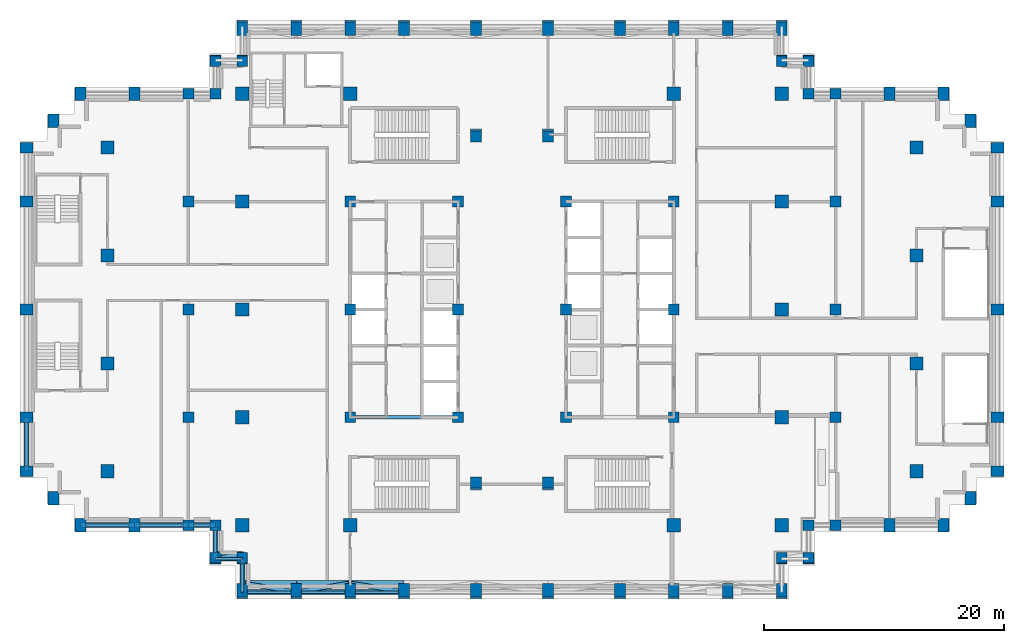
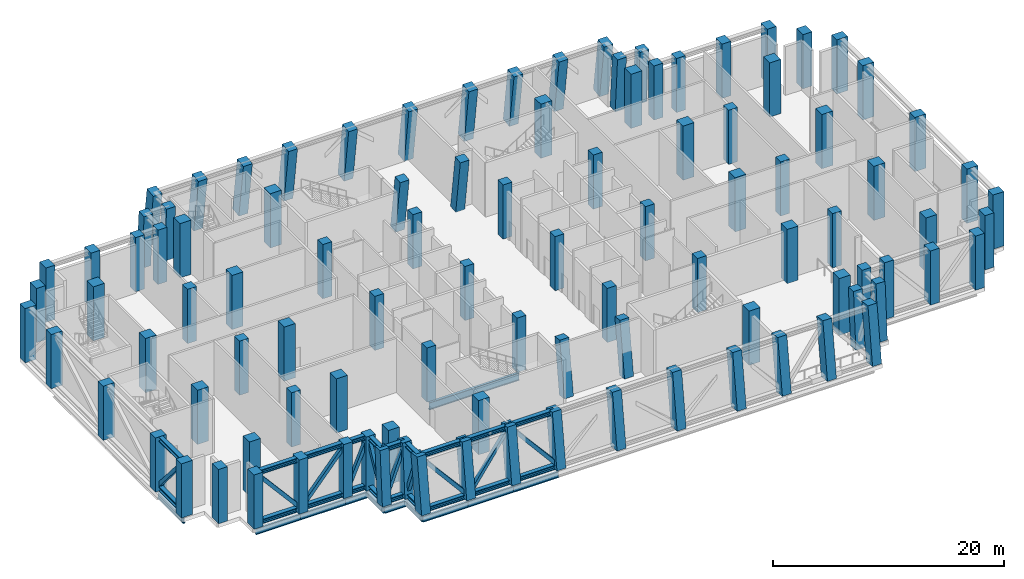
# One storey, part 1 of 14: 102 columns, 30 members, 11 beams.
"""IFC4 building model written with IfcOpenShell, lengths in metres."""

import ifcopenshell
import ifcopenshell.guid

model = None  # the IFC model being written
_history = None  # IfcOwnerHistory: only IFC2X3 demands one
_inside = {}  # id of a spatial element -> (the spatial element, [elements in it])
_under = {}  # id of a project, library or spatial element -> (it, [spatial elements below it])
_declared = {}  # id of a project -> (the project, [libraries it declares])
_typed = {}  # id of a type object -> (the type object, [elements of that type])
_made_of = {}  # id of a material, layer set ... -> (it, [elements and type objects made of it])


def new_model(schema):
    """Start an empty IFC model of exactly this schema.

    Asked for "IFC4X3", IfcOpenShell would pick the latest addendum, in which some entities
    have other attributes; the version numbers below select the first issue.
    IFC2X3 requires an IfcOwnerHistory on every rooted entity: one is made here for all.
    """
    global model, _history
    if schema == "IFC4X3":
        model = ifcopenshell.file(schema_version=(4, 3, 0, 0))
    else:
        model = ifcopenshell.file(schema=schema)
    _inside.clear()
    _under.clear()
    _declared.clear()
    _typed.clear()
    _made_of.clear()
    _history = None
    if model.schema == "IFC2X3":
        org = make("IfcOrganization", Name="unknown")
        user = make(
            "IfcPersonAndOrganization",
            ThePerson=make("IfcPerson", FamilyName="unknown"),
            TheOrganization=org,
        )
        app = make(
            "IfcApplication",
            ApplicationDeveloper=org,
            Version="unknown",
            ApplicationFullName="unknown",
            ApplicationIdentifier="unknown",
        )
        _history = make(
            "IfcOwnerHistory",
            OwningUser=user,
            OwningApplication=app,
            ChangeAction="ADDED",
            CreationDate=0,
        )
    return model


def make(cls, **values):
    """One entity of the class cls with the attributes given. An attribute that is None is left unset."""
    return model.create_entity(
        cls, **{name: value for name, value in values.items() if value is not None}
    )


def rooted(cls, **values):
    """An entity with a GlobalId (a new one), such as an element, a storey or a relation."""
    return make(cls, GlobalId=ifcopenshell.guid.new(), OwnerHistory=_history, **values)


def si_unit(unit_type, name, prefix=None):
    """IfcSIUnit, for example si_unit("LENGTHUNIT", "METRE", prefix="MILLI")."""
    return make("IfcSIUnit", UnitType=unit_type, Prefix=prefix, Name=name)


def assignment(units):
    """IfcUnitAssignment: the units of a project."""
    return None if units is None else make("IfcUnitAssignment", Units=units)


def point(xyz):
    """IfcCartesianPoint."""
    return None if xyz is None else make("IfcCartesianPoint", Coordinates=xyz)


def direction(xyz):
    """IfcDirection."""
    return None if xyz is None else make("IfcDirection", DirectionRatios=xyz)


def frame(location, z_axis=None, x_axis=None):
    """IfcAxis2Placement3D, a coordinate frame: its origin and axes. An axis left out is left unset."""
    return make(
        "IfcAxis2Placement3D",
        Location=point(location),
        Axis=direction(z_axis),
        RefDirection=direction(x_axis),
    )


def frame_2d(location, x_axis=None):
    """IfcAxis2Placement2D, a coordinate frame in the plane: its origin and x axis."""
    return make(
        "IfcAxis2Placement2D", Location=point(location), RefDirection=direction(x_axis)
    )


def origin():
    """The frame at (0, 0, 0) with its axes left unset."""
    return frame((0.0, 0.0, 0.0))


def origin_2d():
    """The frame at (0, 0) in the plane with its x axis left unset."""
    return frame_2d((0.0, 0.0))


def place(relative_to, where):
    """IfcLocalPlacement: puts the frame where relative to a parent placement (None: the world)."""
    return make(
        "IfcLocalPlacement", PlacementRelTo=relative_to, RelativePlacement=where
    )


def context(
    kind, dimensions, precision=None, world=None, true_north=None, identifier=None
):
    """IfcGeometricRepresentationContext, for example the 3D "Model" context."""
    return make(
        "IfcGeometricRepresentationContext",
        ContextIdentifier=identifier,
        ContextType=kind,
        CoordinateSpaceDimension=dimensions,
        Precision=precision,
        WorldCoordinateSystem=world,
        TrueNorth=true_north,
    )


def subcontext(parent, identifier, kind, view, scale=None):
    """IfcGeometricRepresentationSubContext, for example "Body" below "Model"."""
    return make(
        "IfcGeometricRepresentationSubContext",
        ContextIdentifier=identifier,
        ContextType=kind,
        ParentContext=parent,
        TargetScale=scale,
        TargetView=view,
    )


def project(units=None, contexts=None):
    """IfcProject with its units and contexts."""
    return rooted(
        "IfcProject",
        Name="project",
        RepresentationContexts=contexts,
        UnitsInContext=assignment(units),
    )


def spatial(cls, under=None, at=None, **own):
    """A site, building, storey or space (cls), placed at a placement, below another one or the project."""
    s = rooted(cls, ObjectPlacement=at, **own)
    if under is not None:
        _under.setdefault(under.id(), (under, []))[1].append(s)
    return s


def profile(cls, at=None, kind="AREA", **sizes):
    """A parametric profile (cls). Its sizes go by their IFC names, for example OverallWidth=200.0."""
    return make(cls, ProfileType=kind, Position=at, **sizes)


def rectangle(**sizes):
    """IfcRectangleProfileDef."""
    return profile("IfcRectangleProfileDef", **sizes)


def hollow_rectangle(**sizes):
    """IfcRectangleHollowProfileDef."""
    return profile("IfcRectangleHollowProfileDef", **sizes)


def i_section(**sizes):
    """IfcIShapeProfileDef."""
    return profile("IfcIShapeProfileDef", **sizes)


def extrude(swept, where, along, depth):
    """IfcExtrudedAreaSolid: the profile swept, set in the frame where, extruded along a direction by depth."""
    return make(
        "IfcExtrudedAreaSolid",
        SweptArea=swept,
        Position=where,
        ExtrudedDirection=direction(along),
        Depth=depth,
    )


def shape(context_of_items, identifier, shape_type, items):
    """IfcShapeRepresentation: the items that make up one representation, for example the "Body"."""
    return make(
        "IfcShapeRepresentation",
        ContextOfItems=context_of_items,
        RepresentationIdentifier=identifier,
        RepresentationType=shape_type,
        Items=items,
    )


def material(Name=None, Category=None):
    """IfcMaterial."""
    return make("IfcMaterial", Name=Name, Category=Category)


def material_profile(
    of_material, cross_section, Name=None, Category=None, Priority=None
):
    """IfcMaterialProfile: a cross section and its material."""
    return make(
        "IfcMaterialProfile",
        Name=Name,
        Material=of_material,
        Profile=cross_section,
        Priority=Priority,
        Category=Category,
    )


def profile_set(profiles, Name=None, composite=None):
    """IfcMaterialProfileSet."""
    return make(
        "IfcMaterialProfileSet",
        Name=Name,
        MaterialProfiles=profiles,
        CompositeProfile=composite,
    )


def made_of(thing, what):
    """Note that an element or type object is made of a material, layer set ...; save() writes the relation."""
    if what is not None:
        _made_of.setdefault(what.id(), (what, []))[1].append(thing)
    return thing


def type_object(cls, material=None, **own):
    """A type object (cls), such as IfcWallType, which elements share."""
    return made_of(rooted(cls, **own), material)


def element(
    cls,
    number,
    at=None,
    inside=None,
    cuts=None,
    type_object=None,
    material=None,
    context=None,
    identifier="Body",
    shape_type=None,
    held_by="IfcProductDefinitionShape",
    body=None,
    shapes=None,
    **own,
):
    """One element of the class cls, such as IfcWall. Its Tag is "e" and its number.

    at: its placement. inside: the storey or other place that contains it. cuts: it is an
    opening in that element (IfcRelVoidsElement). A single representation is given by context,
    identifier, shape_type and body (its items); several are given by shapes. held_by: the class
    of the entity that holds the representations. save() writes the other relations.
    """
    e = rooted(cls, Tag="e%d" % number, ObjectPlacement=at, **own)
    if body is not None:
        shapes = [shape(context, identifier, shape_type, body)]
    if shapes is not None:
        e.Representation = make(held_by, Representations=shapes)
    if inside is not None:
        _inside.setdefault(inside.id(), (inside, []))[1].append(e)
    if cuts is not None:
        rooted(
            "IfcRelVoidsElement", RelatingBuildingElement=cuts, RelatedOpeningElement=e
        )
    if type_object is not None:
        _typed.setdefault(type_object.id(), (type_object, []))[1].append(e)
    return made_of(e, material)


def aggregate(whole, parts):
    """IfcRelAggregates: a whole, such as a stair, and the parts it consists of."""
    return rooted("IfcRelAggregates", RelatingObject=whole, RelatedObjects=parts)


def save(model, path):
    """Write the relations noted so far, then the file.

    IfcRelAggregates (storeys below a building ...), IfcRelContainedInSpatialStructure (elements
    in a storey), IfcRelDefinesByType, IfcRelAssociatesMaterial and IfcRelDeclares: one each for
    every whole, place, type object, material and project.
    """
    for whole, parts in _under.values():
        aggregate(whole, parts)
    for where, things in _inside.values():
        rooted(
            "IfcRelContainedInSpatialStructure",
            RelatedElements=things,
            RelatingStructure=where,
        )
    for kind, things in _typed.values():
        rooted("IfcRelDefinesByType", RelatedObjects=things, RelatingType=kind)
    for what, things in _made_of.values():
        rooted("IfcRelAssociatesMaterial", RelatedObjects=things, RelatingMaterial=what)
    for by, libraries in _declared.values():
        rooted("IfcRelDeclares", RelatingContext=by, RelatedDefinitions=libraries)
    model.write(path)


model = new_model("IFC4")

# Units and contexts
model_context = context("Model", 3, precision=1e-05, world=origin(), true_north=direction((0.0, 1.0)))
body_context = subcontext(model_context, "Body", "Model", "MODEL_VIEW")
ifc_project = project(units=[si_unit("LENGTHUNIT", "METRE"), si_unit("AREAUNIT", "SQUARE_METRE"), si_unit("VOLUMEUNIT", "CUBIC_METRE"), si_unit("PLANEANGLEUNIT", "RADIAN"), si_unit("MASSUNIT", "GRAM", prefix="KILO")], contexts=[model_context])

# Site, building, storey
site_placement = place(None, origin())
site = spatial("IfcSite", under=ifc_project, at=site_placement, CompositionType="ELEMENT")
building_placement = place(site_placement, origin())
building = spatial("IfcBuilding", under=site, at=building_placement, Name="Corbelhall Arena Tower", CompositionType="ELEMENT")
storey_placement = place(building_placement, frame((0.0, 0.0, 178.0)))
storey = spatial("IfcBuildingStorey", under=building, at=storey_placement, Name="L36", CompositionType="ELEMENT", Elevation=178.0)

# Columns
ifc_material_1 = material(Name="Concrete C80/95", Category="concrete")
ifc_material_profile_1 = material_profile(ifc_material_1, rectangle(XDim=1.10009765625, YDim=1.10009765625, at=origin_2d()))
ifc_profile_set_1 = profile_set([ifc_material_profile_1], Name="Concrete C80/95")
column_type_1 = type_object("IfcColumnType", Name="ST-COL-RC 1100x1100", PredefinedType="COLUMN", material=ifc_profile_set_1)
for number, where, z_axis, x_axis, name in (
    (1, (-33.75, 4.5, 0.0), (0.0, 0.0, 1.0), (1.0, 0.0, 0.0), "Column FIC+0450"),
    (2, (-33.75, 13.5, 0.0), (0.0, 0.0, 1.0), (1.0, 0.0, 0.0), "Column FIC+1350"),
    (3, (-33.75, -4.5, 0.0), (0.0, 0.0, 1.0), (1.0, 0.0, 0.0), "Column FIC-0450"),
    (4, (-33.75, -13.5, 0.0), (0.0, 0.0, 1.0), (1.0, 0.0, 0.0), "Column FIC-1350"),
    (5, (33.75, 4.5, 0.0), (0.0, 0.0, 1.0), (1.0, 0.0, 0.0), "Column FID+0450"),
    (6, (33.75, 13.5, 0.0), (0.0, 0.0, 1.0), (1.0, 0.0, 0.0), "Column FID+1350"),
    (7, (33.75, -4.5, 0.0), (0.0, 0.0, 1.0), (1.0, 0.0, 0.0), "Column FID-0450"),
    (8, (33.75, -13.5, 0.0), (0.0, 0.0, 1.0), (1.0, 0.0, 0.0), "Column FID-1350"),
    (9, (13.5, 18.0, 0.0), (0.0, 0.0, 1.0), (1.0, 0.0, 0.0), "Column IE13+1800"),
    (10, (13.5, -18.0, 0.0), (0.0, 0.0, 1.0), (1.0, 0.0, 0.0), "Column IE13-1800"),
    (11, (22.5, 0.0, 0.0), (0.0, 0.0, 1.0), (1.0, 0.0, 0.0), "Column IE22+0000"),
    (12, (22.5, 9.0, 0.0), (0.0, 0.0, 1.0), (1.0, 0.0, 0.0), "Column IE22+0900"),
    (13, (22.5, 18.0, 0.0), (0.0, 0.0, 1.0), (1.0, 0.0, 0.0), "Column IE22+1800"),
    (14, (22.5, -9.0, 0.0), (0.0, 0.0, 1.0), (1.0, 0.0, 0.0), "Column IE22-0900"),
):
    element("IfcColumn", number, at=place(storey_placement, frame(where, z_axis=z_axis, x_axis=x_axis)), inside=storey, type_object=column_type_1, Name=name, PredefinedType="COLUMN", context=body_context, shape_type="SweptSolid", body=[
        extrude(rectangle(XDim=1.10009765625, YDim=1.10009765625, at=origin_2d()), origin(), (0.0, 0.0, 1.0), 5.719970703125),
    ])
column_1_placement = place(storey_placement, frame((22.5, -18.0, 0.0), z_axis=(0.0, 0.0, 1.0), x_axis=(1.0, 0.0, 0.0)))
element("IfcColumn", 15, at=column_1_placement, inside=storey, type_object=column_type_1, Name="Column IE22-1800", PredefinedType="COLUMN", context=body_context, shape_type="SweptSolid", body=[
    extrude(rectangle(XDim=1.10009765625, YDim=1.10009765625, at=origin_2d()), origin(), (0.0, 0.0, 1.0), 6.0),
])
for number, where, z_axis, x_axis, name in (
    (16, (-13.5, 18.0, 0.0), (0.0, 0.0, 1.0), (1.0, 0.0, 0.0), "Column IW13+1800"),
    (17, (-13.5, -18.0, 0.0), (0.0, 0.0, 1.0), (1.0, 0.0, 0.0), "Column IW13-1800"),
    (18, (-22.5, 0.0, 0.0), (0.0, 0.0, 1.0), (1.0, 0.0, 0.0), "Column IW22+0000"),
    (19, (-22.5, 9.0, 0.0), (0.0, 0.0, 1.0), (1.0, 0.0, 0.0), "Column IW22+0900"),
    (20, (-22.5, 18.0, 0.0), (0.0, 0.0, 1.0), (1.0, 0.0, 0.0), "Column IW22+1800"),
    (21, (-22.5, -9.0, 0.0), (0.0, 0.0, 1.0), (1.0, 0.0, 0.0), "Column IW22-0900"),
    (22, (-22.5, -18.0, 0.0), (0.0, 0.0, 1.0), (1.0, 0.0, 0.0), "Column IW22-1800"),
):
    element("IfcColumn", number, at=place(storey_placement, frame(where, z_axis=z_axis, x_axis=x_axis)), inside=storey, type_object=column_type_1, Name=name, PredefinedType="COLUMN", context=body_context, shape_type="SweptSolid", body=[
        extrude(rectangle(XDim=1.10009765625, YDim=1.10009765625, at=origin_2d()), origin(), (0.0, 0.0, 1.0), 5.719970703125),
    ])
ifc_material_profile_2 = material_profile(ifc_material_1, rectangle(XDim=0.89990234375, YDim=1.10009765625, at=origin_2d()))
ifc_profile_set_2 = profile_set([ifc_material_profile_2], Name="Concrete C80/95")
column_type_2 = type_object("IfcColumnType", Name="ST-COL-RC 900x1100", PredefinedType="COLUMN", material=ifc_profile_set_2)
for number, where, z_axis, x_axis, name in (
    (23, (-40.5, 0.0, 0.0), (0.0, 0.0, 1.0), (0.0, 1.0, 0.0), "Column FC+0000"),
    (24, (-40.5, 9.0, 0.0), (0.0, 0.0, 1.0), (0.0, 1.0, 0.0), "Column FC+0900"),
    (25, (-40.5, 13.5, 0.0), (0.0, 0.0, 1.0), (0.0, 1.0, 0.0), "Column FC+1350"),
    (26, (-40.5, -9.0, 0.0), (0.0, 0.0, 1.0), (0.0, 1.0, 0.0), "Column FC-0900"),
    (27, (-40.5, -13.5, 0.0), (0.0, 0.0, 1.0), (0.0, 1.0, 0.0), "Column FC-1350"),
    (28, (-38.25, 15.75, 0.0), (0.0, 0.0, 1.0), (1.0, 0.0, 0.0), "Column FCCN"),
    (29, (-38.25, -15.75, 0.0), (0.0, 0.0, 1.0), (1.0, 0.0, 0.0), "Column FCCS"),
    (30, (-31.5, 18.0, 0.0), (0.0, 0.0, 1.0), (1.0, 0.0, 0.0), "Column FCN3150"),
    (31, (-36.0, 18.0, 0.0), (0.0, 0.0, 1.0), (1.0, 0.0, 0.0), "Column FCN3600"),
    (32, (-31.5, -18.0, 0.0), (0.0, 0.0, 1.0), (1.0, 0.0, 0.0), "Column FCS3150"),
    (33, (-36.0, -18.0, 0.0), (0.0, 0.0, 1.0), (1.0, 0.0, 0.0), "Column FCS3600"),
    (34, (40.5, 0.0, 0.0), (0.0, 0.0, 1.0), (0.0, 1.0, 0.0), "Column FD+0000"),
    (35, (40.5, 9.0, 0.0), (0.0, 0.0, 1.0), (0.0, 1.0, 0.0), "Column FD+0900"),
    (36, (40.5, 13.5, 0.0), (0.0, 0.0, 1.0), (0.0, 1.0, 0.0), "Column FD+1350"),
    (37, (40.5, -9.0, 0.0), (0.0, 0.0, 1.0), (0.0, 1.0, 0.0), "Column FD-0900"),
    (38, (40.5, -13.5, 0.0), (0.0, 0.0, 1.0), (0.0, 1.0, 0.0), "Column FD-1350"),
    (39, (38.25, 15.75, 0.0), (0.0, 0.0, 1.0), (1.0, 0.0, 0.0), "Column FDCN"),
    (40, (38.25, -15.75, 0.0), (0.0, 0.0, 1.0), (1.0, 0.0, 0.0), "Column FDCS"),
    (41, (31.5, 18.0, 0.0), (0.0, 0.0, 1.0), (1.0, 0.0, 0.0), "Column FDN3150"),
    (42, (36.0, 18.0, 0.0), (0.0, 0.0, 1.0), (1.0, 0.0, 0.0), "Column FDN3600"),
    (43, (31.5, -18.0, 0.0), (0.0, 0.0, 1.0), (1.0, 0.0, 0.0), "Column FDS3150"),
    (44, (36.0, -18.0, 0.0), (0.0, 0.0, 1.0), (1.0, 0.0, 0.0), "Column FDS3600"),
):
    element("IfcColumn", number, at=place(storey_placement, frame(where, z_axis=z_axis, x_axis=x_axis)), inside=storey, type_object=column_type_2, Name=name, PredefinedType="COLUMN", context=body_context, shape_type="SweptSolid", body=[
        extrude(rectangle(XDim=0.89990234375, YDim=1.10009765625, at=origin_2d()), origin(), (0.0, 0.0, 1.0), 5.719970703125),
    ])
for number, where, z_axis, x_axis, name in (
    (45, (3.0, 23.60009765625, 0.0), (0.0, -0.138520981641, 0.990359499195), (1.0, 0.0, 0.0), "Column PNE0300"),
    (46, (9.0, 23.60009765625, 0.0), (0.0, -0.138520981641, 0.990359499195), (1.0, 0.0, 0.0), "Column PNE0900"),
    (47, (13.5, 23.60009765625, 0.0), (0.0, -0.138520981641, 0.990359499195), (1.0, 0.0, 0.0), "Column PNE1350"),
    (48, (18.0, 23.60009765625, 0.0), (0.0, -0.138520981641, 0.990359499195), (1.0, 0.0, 0.0), "Column PNE1800"),
    (49, (22.5, 23.60009765625, 0.0), (0.0, -0.138520981641, 0.990359499195), (1.0, 0.0, 0.0), "Column PNE2250"),
    (50, (-3.0, 23.60009765625, 0.0), (0.0, -0.138520981641, 0.990359499195), (1.0, 0.0, 0.0), "Column PNW0300"),
    (51, (-9.0, 23.60009765625, 0.0), (0.0, -0.138520981641, 0.990359499195), (1.0, 0.0, 0.0), "Column PNW0900"),
    (52, (-13.5, 23.60009765625, 0.0), (0.0, -0.138520981641, 0.990359499195), (1.0, 0.0, 0.0), "Column PNW1350"),
    (53, (-18.0, 23.60009765625, 0.0), (0.0, -0.138520981641, 0.990359499195), (1.0, 0.0, 0.0), "Column PNW1800"),
    (54, (-22.5, 23.60009765625, 0.0), (0.0, -0.138520981641, 0.990359499195), (1.0, 0.0, 0.0), "Column PNW2250"),
    (55, (3.0, -23.60009765625, 0.0), (0.0, 0.138520981641, 0.990359499195), (-1.0, 0.0, 0.0), "Column PSE0300"),
    (56, (9.0, -23.60009765625, 0.0), (0.0, 0.138520981641, 0.990359499195), (-1.0, 0.0, 0.0), "Column PSE0900"),
    (57, (13.5, -23.60009765625, 0.0), (0.0, 0.138520981641, 0.990359499195), (-1.0, 0.0, 0.0), "Column PSE1350"),
):
    element("IfcColumn", number, at=place(storey_placement, frame(where, z_axis=z_axis, x_axis=x_axis)), inside=storey, type_object=column_type_2, Name=name, PredefinedType="COLUMN", context=body_context, shape_type="SweptSolid", body=[
        extrude(rectangle(XDim=0.89990234375, YDim=1.10009765625, at=origin_2d()), origin(), (0.0, 0.0, 1.0), 5.775634765625),
    ])
for number, where, z_axis, x_axis, name in (
    (58, (18.0, -23.60009765625, 0.0), (0.0, 0.133873438802, 0.990998437125), (-1.0, 0.0, 0.0), "Column PSE1800"),
    (59, (22.5, -23.60009765625, 0.0), (0.0, 0.133873438802, 0.990998437125), (-1.0, 0.0, 0.0), "Column PSE2250"),
):
    element("IfcColumn", number, at=place(storey_placement, frame(where, z_axis=z_axis, x_axis=x_axis)), inside=storey, type_object=column_type_2, Name=name, PredefinedType="COLUMN", context=body_context, shape_type="SweptSolid", body=[
        extrude(rectangle(XDim=0.89990234375, YDim=1.10009765625, at=origin_2d()), origin(), (0.0, 0.0, 1.0), 5.97607421875),
    ])
for number, where, z_axis, x_axis, name in (
    (60, (-3.0, -23.60009765625, 0.0), (0.0, 0.138520981641, 0.990359499195), (-1.0, 0.0, 0.0), "Column PSW0300"),
    (61, (-9.0, -23.60009765625, 0.0), (0.0, 0.138520981641, 0.990359499195), (-1.0, 0.0, 0.0), "Column PSW0900"),
    (62, (-13.5, -23.60009765625, 0.0), (0.0, 0.138520981641, 0.990359499195), (-1.0, 0.0, 0.0), "Column PSW1350"),
    (63, (-18.0, -23.60009765625, 0.0), (0.0, 0.138520981641, 0.990359499195), (-1.0, 0.0, 0.0), "Column PSW1800"),
    (64, (-22.5, -23.60009765625, 0.0), (0.0, 0.138520981641, 0.990359499195), (-1.0, 0.0, 0.0), "Column PSW2250"),
):
    element("IfcColumn", number, at=place(storey_placement, frame(where, z_axis=z_axis, x_axis=x_axis)), inside=storey, type_object=column_type_2, Name=name, PredefinedType="COLUMN", context=body_context, shape_type="SweptSolid", body=[
        extrude(rectangle(XDim=0.89990234375, YDim=1.10009765625, at=origin_2d()), origin(), (0.0, 0.0, 1.0), 5.775634765625),
    ])
ifc_material_profile_3 = material_profile(ifc_material_1, rectangle(XDim=0.89990234375, YDim=0.89990234375, at=origin_2d()))
ifc_profile_set_3 = profile_set([ifc_material_profile_3], Name="Concrete C80/95")
column_type_3 = type_object("IfcColumnType", Name="ST-COL-RC 900x900", PredefinedType="COLUMN", material=ifc_profile_set_3)
for number, where, z_axis, x_axis, name in (
    (65, (4.5, 0.0, 0.0), (0.0, 0.0, 1.0), (1.0, 0.0, 0.0), "Column KE+0450+0000"),
    (66, (4.5, 9.0, 0.0), (0.0, 0.0, 1.0), (1.0, 0.0, 0.0), "Column KE+0450+0900"),
    (67, (4.5, -9.0, 0.0), (0.0, 0.0, 1.0), (1.0, 0.0, 0.0), "Column KE+0450-0900"),
    (68, (13.5, 0.0, 0.0), (0.0, 0.0, 1.0), (1.0, 0.0, 0.0), "Column KE+1350+0000"),
    (69, (13.5, 9.0, 0.0), (0.0, 0.0, 1.0), (1.0, 0.0, 0.0), "Column KE+1350+0900"),
    (70, (13.5, -9.0, 0.0), (0.0, 0.0, 1.0), (1.0, 0.0, 0.0), "Column KE+1350-0900"),
    (71, (-4.5, 0.0, 0.0), (0.0, 0.0, 1.0), (1.0, 0.0, 0.0), "Column KW-0450+0000"),
    (72, (-4.5, 9.0, 0.0), (0.0, 0.0, 1.0), (1.0, 0.0, 0.0), "Column KW-0450+0900"),
    (73, (-4.5, -9.0, 0.0), (0.0, 0.0, 1.0), (1.0, 0.0, 0.0), "Column KW-0450-0900"),
    (74, (-13.5, 0.0, 0.0), (0.0, 0.0, 1.0), (1.0, 0.0, 0.0), "Column KW-1350+0000"),
    (75, (-13.5, 9.0, 0.0), (0.0, 0.0, 1.0), (1.0, 0.0, 0.0), "Column KW-1350+0900"),
    (76, (-13.5, -9.0, 0.0), (0.0, 0.0, 1.0), (1.0, 0.0, 0.0), "Column KW-1350-0900"),
    (77, (27.0, 0.0, 0.0), (0.0, 0.0, 1.0), (1.0, 0.0, 0.0), "Column PE+0000"),
    (78, (27.0, 9.0, 0.0), (0.0, 0.0, 1.0), (1.0, 0.0, 0.0), "Column PE+0900"),
    (79, (27.0, 18.0, 0.0), (0.0, 0.0, 1.0), (1.0, 0.0, 0.0), "Column PE+1800"),
    (80, (27.0, -9.0, 0.0), (0.0, 0.0, 1.0), (1.0, 0.0, 0.0), "Column PE-0900"),
):
    element("IfcColumn", number, at=place(storey_placement, frame(where, z_axis=z_axis, x_axis=x_axis)), inside=storey, type_object=column_type_3, Name=name, PredefinedType="COLUMN", context=body_context, shape_type="SweptSolid", body=[
        extrude(rectangle(XDim=0.89990234375, YDim=0.89990234375, at=origin_2d()), origin(), (0.0, 0.0, 1.0), 5.719970703125),
    ])
column_2_placement = place(storey_placement, frame((27.0, -18.0, 0.0), z_axis=(0.0, 0.0, 1.0), x_axis=(1.0, 0.0, 0.0)))
element("IfcColumn", 81, at=column_2_placement, inside=storey, type_object=column_type_3, Name="Column PE-1800", PredefinedType="COLUMN", context=body_context, shape_type="SweptSolid", body=[
    extrude(rectangle(XDim=0.89990234375, YDim=0.89990234375, at=origin_2d()), origin(), (0.0, 0.0, 1.0), 6.0),
])
for number, where, z_axis, x_axis, name in (
    (82, (-27.0, 0.0, 0.0), (0.0, 0.0, 1.0), (1.0, 0.0, 0.0), "Column PW+0000"),
    (83, (-27.0, 9.0, 0.0), (0.0, 0.0, 1.0), (1.0, 0.0, 0.0), "Column PW+0900"),
    (84, (-27.0, 18.0, 0.0), (0.0, 0.0, 1.0), (1.0, 0.0, 0.0), "Column PW+1800"),
    (85, (-27.0, -9.0, 0.0), (0.0, 0.0, 1.0), (1.0, 0.0, 0.0), "Column PW-0900"),
    (86, (-27.0, -18.0, 0.0), (0.0, 0.0, 1.0), (1.0, 0.0, 0.0), "Column PW-1800"),
):
    element("IfcColumn", number, at=place(storey_placement, frame(where, z_axis=z_axis, x_axis=x_axis)), inside=storey, type_object=column_type_3, Name=name, PredefinedType="COLUMN", context=body_context, shape_type="SweptSolid", body=[
        extrude(rectangle(XDim=0.89990234375, YDim=0.89990234375, at=origin_2d()), origin(), (0.0, 0.0, 1.0), 5.719970703125),
    ])
for number, where, z_axis, x_axis, name in (
    (87, (3.0, 14.60009765625, 0.0), (0.0, -0.138520981641, 0.990359499195), (1.0, 0.0, 0.0), "Column SLNE2"),
    (88, (-3.0, 14.60009765625, 0.0), (0.0, -0.138520981641, 0.990359499195), (1.0, 0.0, 0.0), "Column SLNW2"),
    (89, (3.0, -14.60009765625, 0.0), (0.0, 0.138520981641, 0.990359499195), (-1.0, 0.0, 0.0), "Column SLSE2"),
    (90, (-3.0, -14.60009765625, 0.0), (0.0, 0.138520981641, 0.990359499195), (-1.0, 0.0, 0.0), "Column SLSW2"),
):
    element("IfcColumn", number, at=place(storey_placement, frame(where, z_axis=z_axis, x_axis=x_axis)), inside=storey, type_object=column_type_3, Name=name, PredefinedType="COLUMN", context=body_context, shape_type="SweptSolid", body=[
        extrude(rectangle(XDim=0.89990234375, YDim=0.89990234375, at=origin_2d()), origin(), (0.0, 0.0, 1.0), 5.775634765625),
    ])
for number, where, z_axis, x_axis, name in (
    (91, (22.5, 20.800048828125, 0.0), (0.0, -0.069785486046, 0.997562021098), (1.0, 0.0, 0.0), "Column XNE1"),
    (92, (24.75, 20.800048828125, 0.0), (0.0, -0.069785486046, 0.997562021098), (1.0, 0.0, 0.0), "Column XNE2"),
):
    element("IfcColumn", number, at=place(storey_placement, frame(where, z_axis=z_axis, x_axis=x_axis)), inside=storey, type_object=column_type_3, Name=name, PredefinedType="COLUMN", context=body_context, shape_type="SweptSolid", body=[
        extrude(rectangle(XDim=0.89990234375, YDim=0.89990234375, at=origin_2d()), origin(), (0.0, 0.0, 1.0), 5.73388671875),
    ])
column_3_placement = place(storey_placement, frame((24.75, 18.0, 0.0), z_axis=(0.0, 0.0, 1.0), x_axis=(1.0, 0.0, 0.0)))
element("IfcColumn", 93, at=column_3_placement, inside=storey, type_object=column_type_3, Name="Column XNE3", PredefinedType="COLUMN", context=body_context, shape_type="SweptSolid", body=[
    extrude(rectangle(XDim=0.89990234375, YDim=0.89990234375, at=origin_2d()), origin(), (0.0, 0.0, 1.0), 5.719970703125),
])
for number, where, z_axis, x_axis, name in (
    (94, (-22.5, 20.800048828125, 0.0), (0.0, -0.069785486046, 0.997562021098), (1.0, 0.0, 0.0), "Column XNW1"),
    (95, (-24.75, 20.800048828125, 0.0), (0.0, -0.069785486046, 0.997562021098), (1.0, 0.0, 0.0), "Column XNW2"),
):
    element("IfcColumn", number, at=place(storey_placement, frame(where, z_axis=z_axis, x_axis=x_axis)), inside=storey, type_object=column_type_3, Name=name, PredefinedType="COLUMN", context=body_context, shape_type="SweptSolid", body=[
        extrude(rectangle(XDim=0.89990234375, YDim=0.89990234375, at=origin_2d()), origin(), (0.0, 0.0, 1.0), 5.73388671875),
    ])
column_4_placement = place(storey_placement, frame((-24.75, 18.0, 0.0), z_axis=(0.0, 0.0, 1.0), x_axis=(1.0, 0.0, 0.0)))
element("IfcColumn", 96, at=column_4_placement, inside=storey, type_object=column_type_3, Name="Column XNW3", PredefinedType="COLUMN", context=body_context, shape_type="SweptSolid", body=[
    extrude(rectangle(XDim=0.89990234375, YDim=0.89990234375, at=origin_2d()), origin(), (0.0, 0.0, 1.0), 5.719970703125),
])
for number, where, z_axis, x_axis, name in (
    (97, (22.5, -20.800048828125, 0.0), (0.0, 0.066930983457, 0.997757607565), (-1.0, 0.0, 0.0), "Column XSE1"),
    (98, (24.75, -20.800048828125, 0.0), (0.0, 0.066930983457, 0.997757607565), (-1.0, 0.0, 0.0), "Column XSE2"),
):
    element("IfcColumn", number, at=place(storey_placement, frame(where, z_axis=z_axis, x_axis=x_axis)), inside=storey, type_object=column_type_3, Name=name, PredefinedType="COLUMN", context=body_context, shape_type="SweptSolid", body=[
        extrude(rectangle(XDim=0.89990234375, YDim=0.89990234375, at=origin_2d()), origin(), (0.0, 0.0, 1.0), 5.978515625),
    ])
column_5_placement = place(storey_placement, frame((24.75, -18.0, 0.0), z_axis=(0.0, 0.0, 1.0), x_axis=(1.0, 0.0, 0.0)))
element("IfcColumn", 99, at=column_5_placement, inside=storey, type_object=column_type_3, Name="Column XSE3", PredefinedType="COLUMN", context=body_context, shape_type="SweptSolid", body=[
    extrude(rectangle(XDim=0.89990234375, YDim=0.89990234375, at=origin_2d()), origin(), (0.0, 0.0, 1.0), 6.0),
])
for number, where, z_axis, x_axis, name in (
    (100, (-22.5, -20.800048828125, 0.0), (0.0, 0.069785486046, 0.997562021098), (-1.0, 0.0, 0.0), "Column XSW1"),
    (101, (-24.75, -20.800048828125, 0.0), (0.0, 0.069785486046, 0.997562021098), (-1.0, 0.0, 0.0), "Column XSW2"),
):
    element("IfcColumn", number, at=place(storey_placement, frame(where, z_axis=z_axis, x_axis=x_axis)), inside=storey, type_object=column_type_3, Name=name, PredefinedType="COLUMN", context=body_context, shape_type="SweptSolid", body=[
        extrude(rectangle(XDim=0.89990234375, YDim=0.89990234375, at=origin_2d()), origin(), (0.0, 0.0, 1.0), 5.73388671875),
    ])
column_6_placement = place(storey_placement, frame((-24.75, -18.0, 0.0), z_axis=(0.0, 0.0, 1.0), x_axis=(1.0, 0.0, 0.0)))
element("IfcColumn", 102, at=column_6_placement, inside=storey, type_object=column_type_3, Name="Column XSW3", PredefinedType="COLUMN", context=body_context, shape_type="SweptSolid", body=[
    extrude(rectangle(XDim=0.89990234375, YDim=0.89990234375, at=origin_2d()), origin(), (0.0, 0.0, 1.0), 5.719970703125),
])

# Beam
ifc_material_2 = material(Name="Steel ASTM A992 Gr50", Category="steel")
ifc_material_profile_4 = material_profile(ifc_material_2, i_section(OverallWidth=0.2666015625, OverallDepth=0.761962890625, WebThickness=0.014404296875, FlangeThickness=0.021484375, at=origin_2d()))
ifc_profile_set_4 = profile_set([ifc_material_profile_4], Name="Steel ASTM A992 Gr50")
beam_type_1 = type_object("IfcBeamType", Name="ST-BEAM-W30x116", PredefinedType="BEAM", material=ifc_profile_set_4)
beam_1_placement = place(storey_placement, frame((-13.5, -9.0, -0.791015625), z_axis=(1.0, 0.0, 0.0), x_axis=(0.0, 1.0, 0.0)))
element("IfcBeam", 103, at=beam_1_placement, inside=storey, type_object=beam_type_1, Name="Beam CEW 5", PredefinedType="BEAM", context=body_context, shape_type="SweptSolid", body=[
    extrude(i_section(OverallWidth=0.2666015625, OverallDepth=0.761962890625, WebThickness=0.014404296875, FlangeThickness=0.021484375, at=origin_2d()), origin(), (0.0, 0.0, 1.0), 9.0),
])

# Members
ifc_material_3 = material(Name="Steel ASTM A913 Gr65", Category="steel")
ifc_material_profile_5 = material_profile(ifc_material_3, i_section(OverallWidth=0.421630859375, OverallDepth=0.46484375, WebThickness=0.044921875, FlangeThickness=0.072509765625, at=origin_2d()))
ifc_profile_set_5 = profile_set([ifc_material_profile_5], Name="Steel ASTM A913 Gr65")
member_type_1 = type_object("IfcMemberType", Name="ST-CHORD-W14x398", PredefinedType="CHORD", material=ifc_profile_set_5)
for number, where, z_axis, x_axis, name in (
    (104, (-40.5, -13.5, 0.232421875), (0.0, 1.0, 0.0), (-1.0, 0.0, 0.0), "Truss chord BC 4"),
    (105, (-40.5, -13.5, 5.487548828125), (0.0, 1.0, 0.0), (-1.0, 0.0, 0.0), "Truss chord TC 4"),
    (106, (-31.5, -18.0, 0.232421875), (-1.0, 0.0, 0.0), (0.0, -1.0, 0.0), "Truss chord BC 7"),
    (107, (-31.5, -18.0, 5.487548828125), (-1.0, 0.0, 0.0), (0.0, -1.0, 0.0), "Truss chord TC 7"),
    (108, (-9.0, -23.5673828125, 0.232421875), (-1.0, 0.0, 0.0), (0.0, -1.0, 0.0), "Truss chord BC 33"),
    (109, (-9.0, -22.83251953125, 5.487548828125), (-1.0, 0.0, 0.0), (0.0, -1.0, 0.0), "Truss chord TC 33"),
    (110, (-13.5, -23.5673828125, 0.232421875), (-1.0, 0.0, 0.0), (0.0, -1.0, 0.0), "Truss chord BC 34"),
    (111, (-13.5, -22.83251953125, 5.487548828125), (-1.0, 0.0, 0.0), (0.0, -1.0, 0.0), "Truss chord TC 34"),
    (112, (-18.0, -23.5673828125, 0.232421875), (-1.0, 0.0, 0.0), (0.0, -1.0, 0.0), "Truss chord BC 35"),
    (113, (-18.0, -22.83251953125, 5.487548828125), (-1.0, 0.0, 0.0), (0.0, -1.0, 0.0), "Truss chord TC 35"),
):
    element("IfcMember", number, at=place(storey_placement, frame(where, z_axis=z_axis, x_axis=x_axis)), inside=storey, type_object=member_type_1, Name=name, PredefinedType="CHORD", context=body_context, shape_type="SweptSolid", body=[
        extrude(i_section(OverallWidth=0.421630859375, OverallDepth=0.46484375, WebThickness=0.044921875, FlangeThickness=0.072509765625, at=origin_2d()), origin(), (0.0, 0.0, 1.0), 4.5),
    ])
member_1_placement = place(storey_placement, frame((-22.5, -23.5673828125, 0.232421875), z_axis=(0.0, 1.0, 0.0), x_axis=(-1.0, 0.0, 0.0)))
element("IfcMember", 114, at=member_1_placement, inside=storey, type_object=member_type_1, Name="Truss chord BC 36", PredefinedType="CHORD", context=body_context, shape_type="SweptSolid", body=[
    extrude(i_section(OverallWidth=0.421630859375, OverallDepth=0.46484375, WebThickness=0.044921875, FlangeThickness=0.072509765625, at=origin_2d()), origin(), (0.0, 0.0, 1.0), 2.78369140625),
])
member_2_placement = place(storey_placement, frame((-22.5, -22.83251953125, 5.487548828125), z_axis=(0.0, 1.0, 0.0), x_axis=(-1.0, 0.0, 0.0)))
element("IfcMember", 115, at=member_2_placement, inside=storey, type_object=member_type_1, Name="Truss chord TC 36", PredefinedType="CHORD", context=body_context, shape_type="SweptSolid", body=[
    extrude(i_section(OverallWidth=0.421630859375, OverallDepth=0.46484375, WebThickness=0.044921875, FlangeThickness=0.072509765625, at=origin_2d()), origin(), (0.0, 0.0, 1.0), 2.416259765625),
])
for number, where, z_axis, x_axis, name in (
    (116, (-27.0, -18.0, 0.232421875), (-1.0, 0.0, 0.0), (0.0, -1.0, 0.0), "Truss chord BC 38"),
    (117, (-27.0, -18.0, 5.487548828125), (-1.0, 0.0, 0.0), (0.0, -1.0, 0.0), "Truss chord TC 38"),
):
    element("IfcMember", number, at=place(storey_placement, frame(where, z_axis=z_axis, x_axis=x_axis)), inside=storey, type_object=member_type_1, Name=name, PredefinedType="CHORD", context=body_context, shape_type="SweptSolid", body=[
        extrude(i_section(OverallWidth=0.421630859375, OverallDepth=0.46484375, WebThickness=0.044921875, FlangeThickness=0.072509765625, at=origin_2d()), origin(), (0.0, 0.0, 1.0), 4.5),
    ])
for number, where, z_axis, x_axis, name in (
    (118, (-22.5, -20.78369140625, 0.232421875), (-1.0, 0.0, 0.0), (0.0, -1.0, 0.0), "Truss chord BC 48"),
    (119, (-22.5, -20.416259765625, 5.487548828125), (-1.0, 0.0, 0.0), (0.0, -1.0, 0.0), "Truss chord TC 48"),
):
    element("IfcMember", number, at=place(storey_placement, frame(where, z_axis=z_axis, x_axis=x_axis)), inside=storey, type_object=member_type_1, Name=name, PredefinedType="CHORD", context=body_context, shape_type="SweptSolid", body=[
        extrude(i_section(OverallWidth=0.421630859375, OverallDepth=0.46484375, WebThickness=0.044921875, FlangeThickness=0.072509765625, at=origin_2d()), origin(), (0.0, 0.0, 1.0), 2.25),
    ])
member_3_placement = place(storey_placement, frame((-24.75, -20.78369140625, 0.232421875), z_axis=(0.0, 1.0, 0.0), x_axis=(-1.0, 0.0, 0.0)))
element("IfcMember", 120, at=member_3_placement, inside=storey, type_object=member_type_1, Name="Truss chord BC 49", PredefinedType="CHORD", context=body_context, shape_type="SweptSolid", body=[
    extrude(i_section(OverallWidth=0.421630859375, OverallDepth=0.46484375, WebThickness=0.044921875, FlangeThickness=0.072509765625, at=origin_2d()), origin(), (0.0, 0.0, 1.0), 2.78369140625),
])
member_4_placement = place(storey_placement, frame((-24.75, -20.416259765625, 5.487548828125), z_axis=(0.0, 1.0, 0.0), x_axis=(-1.0, 0.0, 0.0)))
element("IfcMember", 121, at=member_4_placement, inside=storey, type_object=member_type_1, Name="Truss chord TC 49", PredefinedType="CHORD", context=body_context, shape_type="SweptSolid", body=[
    extrude(i_section(OverallWidth=0.421630859375, OverallDepth=0.46484375, WebThickness=0.044921875, FlangeThickness=0.072509765625, at=origin_2d()), origin(), (0.0, 0.0, 1.0), 2.416259765625),
])
for number, where, z_axis, x_axis, name in (
    (122, (-24.75, -18.0, 0.232421875), (-1.0, 0.0, 0.0), (0.0, -1.0, 0.0), "Truss chord BC 50"),
    (123, (-24.75, -18.0, 5.487548828125), (-1.0, 0.0, 0.0), (0.0, -1.0, 0.0), "Truss chord TC 50"),
):
    element("IfcMember", number, at=place(storey_placement, frame(where, z_axis=z_axis, x_axis=x_axis)), inside=storey, type_object=member_type_1, Name=name, PredefinedType="CHORD", context=body_context, shape_type="SweptSolid", body=[
        extrude(i_section(OverallWidth=0.421630859375, OverallDepth=0.46484375, WebThickness=0.044921875, FlangeThickness=0.072509765625, at=origin_2d()), origin(), (0.0, 0.0, 1.0), 2.25),
    ])

# Beams
ifc_material_profile_6 = material_profile(ifc_material_2, i_section(OverallWidth=0.22900390625, OverallDepth=0.612060546875, WebThickness=0.011962890625, FlangeThickness=0.01953125, at=origin_2d()))
ifc_profile_set_6 = profile_set([ifc_material_profile_6], Name="Steel ASTM A992 Gr50")
beam_type_2 = type_object("IfcBeamType", Name="ST-SPANDREL-W24x84", PredefinedType="SPANDREL", material=ifc_profile_set_6)
for number, where, z_axis, x_axis, name in (
    (124, (-40.5, -13.5, -0.716064453125), (0.0, 1.0, 0.0), (-1.0, 0.0, 0.0), "Beam SP 4"),
    (125, (-31.5, -18.0, -0.716064453125), (-1.0, 0.0, 0.0), (0.0, -1.0, 0.0), "Beam SP 7"),
    (126, (-9.0, -23.60009765625, -0.716064453125), (-1.0, 0.0, 0.0), (0.0, -1.0, 0.0), "Beam SP 33"),
    (127, (-13.5, -23.60009765625, -0.716064453125), (-1.0, 0.0, 0.0), (0.0, -1.0, 0.0), "Beam SP 34"),
    (128, (-18.0, -23.60009765625, -0.716064453125), (-1.0, 0.0, 0.0), (0.0, -1.0, 0.0), "Beam SP 35"),
):
    element("IfcBeam", number, at=place(storey_placement, frame(where, z_axis=z_axis, x_axis=x_axis)), inside=storey, type_object=beam_type_2, Name=name, PredefinedType="SPANDREL", context=body_context, shape_type="SweptSolid", body=[
        extrude(i_section(OverallWidth=0.22900390625, OverallDepth=0.612060546875, WebThickness=0.011962890625, FlangeThickness=0.01953125, at=origin_2d()), origin(), (0.0, 0.0, 1.0), 4.5),
    ])
beam_2_placement = place(storey_placement, frame((-22.5, -23.60009765625, -0.716064453125), z_axis=(0.0, 1.0, 0.0), x_axis=(-1.0, 0.0, 0.0)))
element("IfcBeam", 129, at=beam_2_placement, inside=storey, type_object=beam_type_2, Name="Beam SP 36", PredefinedType="SPANDREL", context=body_context, shape_type="SweptSolid", body=[
    extrude(i_section(OverallWidth=0.22900390625, OverallDepth=0.612060546875, WebThickness=0.011962890625, FlangeThickness=0.01953125, at=origin_2d()), origin(), (0.0, 0.0, 1.0), 2.800048828125),
])
beam_3_placement = place(storey_placement, frame((-27.0, -18.0, -0.716064453125), z_axis=(-1.0, 0.0, 0.0), x_axis=(0.0, -1.0, 0.0)))
element("IfcBeam", 130, at=beam_3_placement, inside=storey, type_object=beam_type_2, Name="Beam SP 38", PredefinedType="SPANDREL", context=body_context, shape_type="SweptSolid", body=[
    extrude(i_section(OverallWidth=0.22900390625, OverallDepth=0.612060546875, WebThickness=0.011962890625, FlangeThickness=0.01953125, at=origin_2d()), origin(), (0.0, 0.0, 1.0), 4.5),
])
beam_4_placement = place(storey_placement, frame((-22.5, -20.800048828125, -0.716064453125), z_axis=(-1.0, 0.0, 0.0), x_axis=(0.0, -1.0, 0.0)))
element("IfcBeam", 131, at=beam_4_placement, inside=storey, type_object=beam_type_2, Name="Beam SP 48", PredefinedType="SPANDREL", context=body_context, shape_type="SweptSolid", body=[
    extrude(i_section(OverallWidth=0.22900390625, OverallDepth=0.612060546875, WebThickness=0.011962890625, FlangeThickness=0.01953125, at=origin_2d()), origin(), (0.0, 0.0, 1.0), 2.25),
])
beam_5_placement = place(storey_placement, frame((-24.75, -20.800048828125, -0.716064453125), z_axis=(0.0, 1.0, 0.0), x_axis=(-1.0, 0.0, 0.0)))
element("IfcBeam", 132, at=beam_5_placement, inside=storey, type_object=beam_type_2, Name="Beam SP 49", PredefinedType="SPANDREL", context=body_context, shape_type="SweptSolid", body=[
    extrude(i_section(OverallWidth=0.22900390625, OverallDepth=0.612060546875, WebThickness=0.011962890625, FlangeThickness=0.01953125, at=origin_2d()), origin(), (0.0, 0.0, 1.0), 2.800048828125),
])
beam_6_placement = place(storey_placement, frame((-24.75, -18.0, -0.716064453125), z_axis=(-1.0, 0.0, 0.0), x_axis=(0.0, -1.0, 0.0)))
element("IfcBeam", 133, at=beam_6_placement, inside=storey, type_object=beam_type_2, Name="Beam SP 50", PredefinedType="SPANDREL", context=body_context, shape_type="SweptSolid", body=[
    extrude(i_section(OverallWidth=0.22900390625, OverallDepth=0.612060546875, WebThickness=0.011962890625, FlangeThickness=0.01953125, at=origin_2d()), origin(), (0.0, 0.0, 1.0), 2.25),
])

# Members
ifc_material_4 = material(Name="Steel ASTM A500 Gr C", Category="steel")
ifc_material_profile_7 = material_profile(ifc_material_4, hollow_rectangle(XDim=0.355712890625, YDim=0.355712890625, WallThickness=0.0146484375, at=origin_2d()))
ifc_profile_set_7 = profile_set([ifc_material_profile_7], Name="Steel ASTM A500 Gr C")
member_type_2 = type_object("IfcMemberType", Name="ST-STRUT-HSS14x14x5/8", PredefinedType="STRUT", material=ifc_profile_set_7)
for number, where, z_axis, x_axis, name in (
    (134, (-40.5, -9.0, 0.232421875), (0.0, -0.650425134729, 0.759570368112), (1.0, 0.0, 0.0), "Truss diagonal 4"),
    (135, (-31.5, -18.0, 0.232421875), (-0.650425134729, 0.0, 0.759570368112), (0.0, -1.0, 0.0), "Truss diagonal 7"),
):
    element("IfcMember", number, at=place(storey_placement, frame(where, z_axis=z_axis, x_axis=x_axis)), inside=storey, type_object=member_type_2, Name=name, PredefinedType="STRUT", context=body_context, shape_type="SweptSolid", body=[
        extrude(hollow_rectangle(XDim=0.355712890625, YDim=0.355712890625, WallThickness=0.0146484375, at=origin_2d()), origin(), (0.0, 0.0, 1.0), 6.91845703125),
    ])
for number, where, z_axis, x_axis, name in (
    (136, (-9.0, -23.5673828125, 0.232421875), (-0.646786871382, 0.105622205016, 0.755321582384), (-0.161168087298, -0.986926971785, 0.0), "Truss diagonal 33"),
    (137, (-18.0, -23.5673828125, 0.232421875), (0.646786871382, 0.105622205016, 0.755321582384), (-0.161168087298, 0.986926971785, 0.0), "Truss diagonal 34"),
    (138, (-18.0, -23.5673828125, 0.232421875), (-0.646786871382, 0.105622205016, 0.755321582384), (-0.161168087298, -0.986926971785, 0.0), "Truss diagonal 35"),
):
    element("IfcMember", number, at=place(storey_placement, frame(where, z_axis=z_axis, x_axis=x_axis)), inside=storey, type_object=member_type_2, Name=name, PredefinedType="STRUT", context=body_context, shape_type="SweptSolid", body=[
        extrude(hollow_rectangle(XDim=0.355712890625, YDim=0.355712890625, WallThickness=0.0146484375, at=origin_2d()), origin(), (0.0, 0.0, 1.0), 6.95751953125),
    ])
member_5_placement = place(storey_placement, frame((-22.5, -20.78369140625, 0.232421875), z_axis=(0.0, -0.363241956957, 0.931694843125), x_axis=(1.0, 0.0, 0.0)))
element("IfcMember", 139, at=member_5_placement, inside=storey, type_object=member_type_2, Name="Truss diagonal 36", PredefinedType="STRUT", context=body_context, shape_type="SweptSolid", body=[
    extrude(hollow_rectangle(XDim=0.355712890625, YDim=0.355712890625, WallThickness=0.0146484375, at=origin_2d()), origin(), (0.0, 0.0, 1.0), 5.640380859375),
])
member_6_placement = place(storey_placement, frame((-31.5, -18.0, 0.232421875), z_axis=(0.650425134729, 0.0, 0.759570368112), x_axis=(0.0, 1.0, 0.0)))
element("IfcMember", 140, at=member_6_placement, inside=storey, type_object=member_type_2, Name="Truss diagonal 38", PredefinedType="STRUT", context=body_context, shape_type="SweptSolid", body=[
    extrude(hollow_rectangle(XDim=0.355712890625, YDim=0.355712890625, WallThickness=0.0146484375, at=origin_2d()), origin(), (0.0, 0.0, 1.0), 6.91845703125),
])
member_7_placement = place(storey_placement, frame((-24.75, -20.78369140625, 0.232421875), z_axis=(0.392784030782, 0.064142791485, 0.917391087521), x_axis=(-0.161168087298, 0.986926971785, 0.0)))
element("IfcMember", 141, at=member_7_placement, inside=storey, type_object=member_type_2, Name="Truss diagonal 48", PredefinedType="STRUT", context=body_context, shape_type="SweptSolid", body=[
    extrude(hollow_rectangle(XDim=0.355712890625, YDim=0.355712890625, WallThickness=0.0146484375, at=origin_2d()), origin(), (0.0, 0.0, 1.0), 5.728271484375),
])
member_8_placement = place(storey_placement, frame((-24.75, -20.78369140625, 0.232421875), z_axis=(0.0, 0.468093308696, 0.883679044877), x_axis=(-1.0, 0.0, 0.0)))
element("IfcMember", 142, at=member_8_placement, inside=storey, type_object=member_type_2, Name="Truss diagonal 49", PredefinedType="STRUT", context=body_context, shape_type="SweptSolid", body=[
    extrude(hollow_rectangle(XDim=0.355712890625, YDim=0.355712890625, WallThickness=0.0146484375, at=origin_2d()), origin(), (0.0, 0.0, 1.0), 5.94677734375),
])
member_9_placement = place(storey_placement, frame((-27.0, -18.0, 0.232421875), z_axis=(0.39359454789, 0.0, 0.919284140987), x_axis=(0.0, 1.0, 0.0)))
element("IfcMember", 143, at=member_9_placement, inside=storey, type_object=member_type_2, Name="Truss diagonal 50", PredefinedType="STRUT", context=body_context, shape_type="SweptSolid", body=[
    extrude(hollow_rectangle(XDim=0.355712890625, YDim=0.355712890625, WallThickness=0.0146484375, at=origin_2d()), origin(), (0.0, 0.0, 1.0), 5.716552734375),
])

save(model, "model.ifc")
